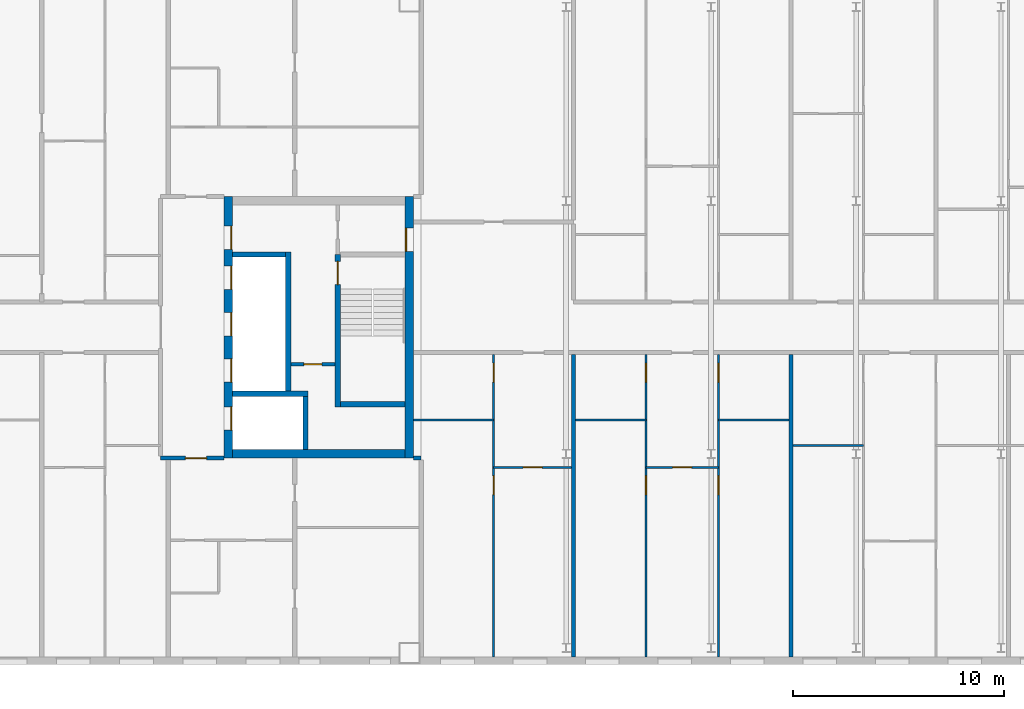
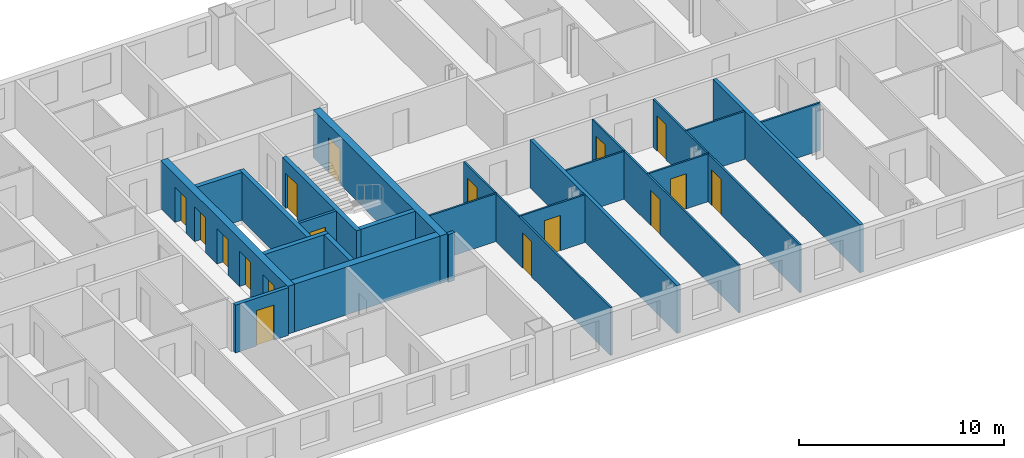
# One storey, part 8 of 19: 23 walls, 17 doors, 17 openings.
"""IFC4 building model written with IfcOpenShell, lengths in metres."""

from ifc_helpers import new_model, si_unit, direction, frame, frame_2d, origin, place, context, subcontext, project, spatial, rectangle, extrude, material, layer, layer_set, type_object, element, fill, save


model = new_model("IFC4")

# Units and contexts
model_context = context("Model", 3, precision=1e-05, world=origin(), true_north=direction((0.0, 1.0)))
body_context = subcontext(model_context, "Body", "Model", "MODEL_VIEW")
ifc_project = project(units=[si_unit("LENGTHUNIT", "METRE"), si_unit("AREAUNIT", "SQUARE_METRE"), si_unit("VOLUMEUNIT", "CUBIC_METRE"), si_unit("PLANEANGLEUNIT", "RADIAN"), si_unit("MASSUNIT", "GRAM", prefix="KILO")], contexts=[model_context])

# Site, building, storey
site_placement = place(None, origin())
site = spatial("IfcSite", under=ifc_project, at=site_placement, CompositionType="ELEMENT")
building_placement = place(site_placement, origin())
building = spatial("IfcBuilding", under=site, at=building_placement, Name="Tuart Gate Housing", CompositionType="ELEMENT")
storey_placement = place(building_placement, frame((0.0, 0.0, 205.89990234375)))
storey = spatial("IfcBuildingStorey", under=building, at=storey_placement, Name="L58", CompositionType="ELEMENT", Elevation=205.89990234375)

# Wall, opening, door
ifc_material_1 = material(Name="Plasterboard partition")
ifc_layer_1 = layer(ifc_material_1, 0.14990234375)
ifc_layer_set_1 = layer_set([ifc_layer_1], Name="Core partition 150")
wall_type_1 = type_object("IfcWallType", Name="Core partition 150", PredefinedType="PARTITIONING", material=ifc_layer_set_1)
wall_1_placement = place(storey_placement, frame((69.81494140625, 68.25, 0.0), z_axis=(0.0, 0.0, 1.0), x_axis=(1.0, 0.0, 0.0)))
wall_1 = element("IfcWall", 1, at=wall_1_placement, inside=storey, type_object=wall_type_1, Name="Core partition AG.3", PredefinedType="PARTITIONING", context=body_context, shape_type="SweptSolid", body=[
    extrude(rectangle(XDim=2.10009765625, YDim=0.14990234375, at=frame_2d((1.050048828125, 0.0))), origin(), (0.0, 0.0, 1.0), 2.85009765625),
])
opening_1_placement = place(wall_1_placement, frame((0.625, 0.0, 0.0)))
opening_1 = element("IfcOpeningElement", 2, at=opening_1_placement, cuts=wall_1, Name="Opening D1981", PredefinedType="OPENING", context=body_context, shape_type="SweptSolid", body=[
    extrude(rectangle(XDim=0.85009765625, YDim=2.10009765625, at=frame_2d((0.425048828125, 1.050048828125))), frame((0.0, 0.0849609375, 0.0), z_axis=(0.0, -1.0, 0.0), x_axis=(1.0, 0.0, 0.0)), (0.0, 0.0, 1.0), 0.169921875),
])
ifc_material_2 = material(Name="Steel fire door", Category="steel")
door_type_1 = type_object("IfcDoorType", Name="Riser door 850 x 2100 RH", OperationType="SINGLE_SWING_RIGHT", PredefinedType="DOOR", material=ifc_material_2)
door_1_placement = place(opening_1_placement, frame((0.85009765625, 0.0, 0.0), z_axis=(0.0, 0.0, 1.0), x_axis=(-1.0, 0.0, 0.0)))
door_1 = element("IfcDoor", 3, at=door_1_placement, inside=storey, type_object=door_type_1, Name="Service room door AG.E1", OperationType="SINGLE_SWING_RIGHT", OverallHeight=2.10009765625, OverallWidth=0.85009765625, PredefinedType="DOOR", context=body_context, shape_type="SweptSolid", body=[
    extrude(rectangle(XDim=0.85009765625, YDim=2.10009765625, at=frame_2d((0.425048828125, 1.050048828125))), frame((0.0, 0.025146484375, 0.0), z_axis=(0.0, -1.0, 0.0), x_axis=(1.0, 0.0, 0.0)), (0.0, 0.0, 1.0), 0.050048828125),
])
fill(opening_1, door_1)

# Walls
ifc_material_3 = material(Name="Concrete C40", Category="concrete")
ifc_layer_2 = layer(ifc_material_3, 0.25)
ifc_layer_set_2 = layer_set([ifc_layer_2], Name="Core wall 250 C40")
wall_type_2 = type_object("IfcWallType", Name="Core wall 250 C40", PredefinedType="SHEAR", material=ifc_layer_set_2)
wall_2_placement = place(storey_placement, frame((72.1650390625, 66.35009765625, 0.0), z_axis=(0.0, 0.0, 1.0), x_axis=(1.0, 0.0, 0.0)))
element("IfcWall", 4, at=wall_2_placement, inside=storey, type_object=wall_type_2, Name="Core wall AG.1", PredefinedType="SHEAR", context=body_context, shape_type="SweptSolid", body=[
    extrude(rectangle(XDim=3.074951171875, YDim=0.25, at=frame_2d((1.53759765625, 0.0))), origin(), (0.0, 0.0, 1.0), 2.85009765625),
])
wall_3_placement = place(storey_placement, frame((67.0400390625, 66.85009765625, 0.0), z_axis=(0.0, 0.0, 1.0), x_axis=(1.0, 0.0, 0.0)))
element("IfcWall", 5, at=wall_3_placement, inside=storey, type_object=wall_type_2, Name="Core wall AG.2", PredefinedType="SHEAR", context=body_context, shape_type="SweptSolid", body=[
    extrude(rectangle(XDim=3.594970703125, YDim=0.25, at=frame_2d((1.79736328125, 0.0))), origin(), (0.0, 0.0, 1.0), 2.85009765625),
])
wall_4_placement = place(storey_placement, frame((67.0400390625, 73.449951171875, 0.0), z_axis=(0.0, 0.0, 1.0), x_axis=(1.0, 0.0, 0.0)))
element("IfcWall", 6, at=wall_4_placement, inside=storey, type_object=wall_type_2, Name="Core wall AG.4", PredefinedType="SHEAR", context=body_context, shape_type="SweptSolid", body=[
    extrude(rectangle(XDim=2.52490234375, YDim=0.25, at=frame_2d((1.262451171875, 0.0))), origin(), (0.0, 0.0, 1.0), 2.85009765625),
])
wall_5_placement = place(storey_placement, frame((69.68994140625, 66.97509765625, 0.0), z_axis=(0.0, 0.0, 1.0), x_axis=(0.0, 1.0, 0.0)))
element("IfcWall", 7, at=wall_5_placement, inside=storey, type_object=wall_type_2, Name="Core wall AG.6", PredefinedType="SHEAR", context=body_context, shape_type="SweptSolid", body=[
    extrude(rectangle(XDim=6.599853515625, YDim=0.25, at=frame_2d((3.2998046875, 0.0))), origin(), (0.0, 0.0, 1.0), 2.85009765625),
])
wall_6_placement = place(storey_placement, frame((70.510009765625, 64.199951171875, 0.0), z_axis=(0.0, 0.0, 1.0), x_axis=(0.0, 1.0, 0.0)))
element("IfcWall", 8, at=wall_6_placement, inside=storey, type_object=wall_type_2, Name="Core wall AG.7", PredefinedType="SHEAR", context=body_context, shape_type="SweptSolid", body=[
    extrude(rectangle(XDim=2.525146484375, YDim=0.25, at=frame_2d((1.2626953125, 0.0))), origin(), (0.0, 0.0, 1.0), 2.85009765625),
])

# Wall, opening, door
wall_7_placement = place(storey_placement, frame((72.0400390625, 66.22509765625, 0.0), z_axis=(0.0, 0.0, 1.0), x_axis=(0.0, 1.0, 0.0)))
wall_7 = element("IfcWall", 9, at=wall_7_placement, inside=storey, type_object=wall_type_2, Name="Core wall AG.8", PredefinedType="SHEAR", context=body_context, shape_type="SweptSolid", body=[
    extrude(rectangle(XDim=7.224853515625, YDim=0.25, at=frame_2d((3.6123046875, 0.0))), origin(), (0.0, 0.0, 1.0), 2.85009765625),
])
opening_2_placement = place(wall_7_placement, frame((5.800048828125, 0.0, 0.0)))
opening_2 = element("IfcOpeningElement", 10, at=opening_2_placement, cuts=wall_7, Name="Opening D1977", PredefinedType="OPENING", context=body_context, shape_type="SweptSolid", body=[
    extrude(rectangle(XDim=1.10009765625, YDim=2.10009765625, at=frame_2d((0.550048828125, 1.050048828125))), frame((0.0, 0.135009765625, 0.0), z_axis=(0.0, -1.0, 0.0), x_axis=(1.0, 0.0, 0.0)), (0.0, 0.0, 1.0), 0.27001953125),
])
ifc_material_4 = material(Name="Steel fire door", Category="steel")
door_type_2 = type_object("IfcDoorType", Name="Stair door 1100 x 2100", OperationType="SINGLE_SWING_LEFT", PredefinedType="DOOR", material=ifc_material_4)
door_2_placement = place(opening_2_placement, frame((1.10009765625, 0.0, 0.0), z_axis=(0.0, 0.0, 1.0), x_axis=(-1.0, 0.0, 0.0)))
door_2 = element("IfcDoor", 11, at=door_2_placement, inside=storey, type_object=door_type_2, Name="Stair door AG.SD", OperationType="SINGLE_SWING_LEFT", OverallHeight=2.10009765625, OverallWidth=1.10009765625, PredefinedType="DOOR", context=body_context, shape_type="SweptSolid", body=[
    extrude(rectangle(XDim=1.10009765625, YDim=2.10009765625, at=frame_2d((0.550048828125, 1.050048828125))), frame((0.0, 0.025146484375, 0.0), z_axis=(0.0, -1.0, 0.0), x_axis=(1.0, 0.0, 0.0)), (0.0, 0.0, 1.0), 0.050048828125),
])
fill(opening_2, door_2)

# Wall, openings, doors
ifc_material_5 = material(Name="Concrete C40", Category="concrete")
ifc_layer_3 = layer(ifc_material_5, 0.39990234375)
ifc_layer_set_3 = layer_set([ifc_layer_3], Name="Core wall 400 C40")
wall_type_3 = type_object("IfcWallType", Name="Core wall 400 C40", PredefinedType="SHEAR", material=ifc_layer_set_3)
wall_8_placement = place(storey_placement, frame((66.840087890625, 63.800048828125, 0.0), z_axis=(0.0, 0.0, 1.0), x_axis=(0.0, 1.0, 0.0)))
wall_8 = element("IfcWall", 12, at=wall_8_placement, inside=storey, type_object=wall_type_3, Name="Core wall AG front", PredefinedType="SHEAR", context=body_context, shape_type="SweptSolid", body=[
    extrude(rectangle(XDim=12.39990234375, YDim=0.39990234375, at=frame_2d((6.199951171875, 0.0))), origin(), (0.0, 0.0, 1.0), 2.85009765625),
])
opening_3_placement = place(wall_8_placement, frame((1.324951171875, 0.0, 0.0)))
opening_3 = element("IfcOpeningElement", 13, at=opening_3_placement, cuts=wall_8, Name="Opening LD-FA1", PredefinedType="OPENING", context=body_context, shape_type="SweptSolid", body=[
    extrude(rectangle(XDim=1.10009765625, YDim=2.10009765625, at=frame_2d((0.550048828125, 1.050048828125))), frame((0.0, 0.2099609375, 0.0), z_axis=(0.0, -1.0, 0.0), x_axis=(1.0, 0.0, 0.0)), (0.0, 0.0, 1.0), 0.419921875),
])
opening_4_placement = place(wall_8_placement, frame((3.60009765625, 0.0, 0.0)))
opening_4 = element("IfcOpeningElement", 14, at=opening_4_placement, cuts=wall_8, Name="Opening LD-LA1", PredefinedType="OPENING", context=body_context, shape_type="SweptSolid", body=[
    extrude(rectangle(XDim=1.10009765625, YDim=2.10009765625, at=frame_2d((0.550048828125, 1.050048828125))), frame((0.0, 0.2099609375, 0.0), z_axis=(0.0, -1.0, 0.0), x_axis=(1.0, 0.0, 0.0)), (0.0, 0.0, 1.0), 0.419921875),
])
opening_5_placement = place(wall_8_placement, frame((5.800048828125, 0.0, 0.0)))
opening_5 = element("IfcOpeningElement", 15, at=opening_5_placement, cuts=wall_8, Name="Opening LD-LA2", PredefinedType="OPENING", context=body_context, shape_type="SweptSolid", body=[
    extrude(rectangle(XDim=1.10009765625, YDim=2.10009765625, at=frame_2d((0.550048828125, 1.050048828125))), frame((0.0, 0.2099609375, 0.0), z_axis=(0.0, -1.0, 0.0), x_axis=(1.0, 0.0, 0.0)), (0.0, 0.0, 1.0), 0.419921875),
])
opening_6_placement = place(wall_8_placement, frame((8.0, 0.0, 0.0)))
opening_6 = element("IfcOpeningElement", 16, at=opening_6_placement, cuts=wall_8, Name="Opening LD-LA3", PredefinedType="OPENING", context=body_context, shape_type="SweptSolid", body=[
    extrude(rectangle(XDim=1.10009765625, YDim=2.10009765625, at=frame_2d((0.550048828125, 1.050048828125))), frame((0.0, 0.2099609375, 0.0), z_axis=(0.0, -1.0, 0.0), x_axis=(1.0, 0.0, 0.0)), (0.0, 0.0, 1.0), 0.419921875),
])
opening_7_placement = place(wall_8_placement, frame((9.89990234375, 0.0, 0.0)))
opening_7 = element("IfcOpeningElement", 17, at=opening_7_placement, cuts=wall_8, Name="Opening D1975", PredefinedType="OPENING", context=body_context, shape_type="SweptSolid", body=[
    extrude(rectangle(XDim=1.10009765625, YDim=2.10009765625, at=frame_2d((0.550048828125, 1.050048828125))), frame((0.0, 0.2099609375, 0.0), z_axis=(0.0, -1.0, 0.0), x_axis=(1.0, 0.0, 0.0)), (0.0, 0.0, 1.0), 0.419921875),
])
ifc_material_6 = material(Name="Stainless steel", Category="steel")
door_type_3 = type_object("IfcDoorType", Name="Landing door 1100 x 2100", OperationType="DOUBLE_DOOR_SLIDING", PredefinedType="DOOR", material=ifc_material_6)
door_3_placement = place(opening_3_placement, origin())
door_3 = element("IfcDoor", 18, at=door_3_placement, inside=storey, type_object=door_type_3, Name="Lift landing door FA1", OperationType="DOUBLE_DOOR_SLIDING", OverallHeight=2.10009765625, OverallWidth=1.10009765625, PredefinedType="DOOR", context=body_context, shape_type="SweptSolid", body=[
    extrude(rectangle(XDim=1.10009765625, YDim=2.10009765625, at=frame_2d((0.550048828125, 1.050048828125))), frame((0.0, -0.134765625, 0.0), z_axis=(0.0, -1.0, 0.0), x_axis=(1.0, 0.0, 0.0)), (0.0, 0.0, 1.0), 0.050048828125),
])
fill(opening_3, door_3)
door_4_placement = place(opening_4_placement, origin())
door_4 = element("IfcDoor", 19, at=door_4_placement, inside=storey, type_object=door_type_3, Name="Lift landing door LA1", OperationType="DOUBLE_DOOR_SLIDING", OverallHeight=2.10009765625, OverallWidth=1.10009765625, PredefinedType="DOOR", context=body_context, shape_type="SweptSolid", body=[
    extrude(rectangle(XDim=1.10009765625, YDim=2.10009765625, at=frame_2d((0.550048828125, 1.050048828125))), frame((0.0, -0.134765625, 0.0), z_axis=(0.0, -1.0, 0.0), x_axis=(1.0, 0.0, 0.0)), (0.0, 0.0, 1.0), 0.050048828125),
])
fill(opening_4, door_4)
door_5_placement = place(opening_5_placement, origin())
door_5 = element("IfcDoor", 20, at=door_5_placement, inside=storey, type_object=door_type_3, Name="Lift landing door LA2", OperationType="DOUBLE_DOOR_SLIDING", OverallHeight=2.10009765625, OverallWidth=1.10009765625, PredefinedType="DOOR", context=body_context, shape_type="SweptSolid", body=[
    extrude(rectangle(XDim=1.10009765625, YDim=2.10009765625, at=frame_2d((0.550048828125, 1.050048828125))), frame((0.0, -0.134765625, 0.0), z_axis=(0.0, -1.0, 0.0), x_axis=(1.0, 0.0, 0.0)), (0.0, 0.0, 1.0), 0.050048828125),
])
fill(opening_5, door_5)
door_6_placement = place(opening_6_placement, origin())
door_6 = element("IfcDoor", 21, at=door_6_placement, inside=storey, type_object=door_type_3, Name="Lift landing door LA3", OperationType="DOUBLE_DOOR_SLIDING", OverallHeight=2.10009765625, OverallWidth=1.10009765625, PredefinedType="DOOR", context=body_context, shape_type="SweptSolid", body=[
    extrude(rectangle(XDim=1.10009765625, YDim=2.10009765625, at=frame_2d((0.550048828125, 1.050048828125))), frame((0.0, -0.134765625, 0.0), z_axis=(0.0, -1.0, 0.0), x_axis=(1.0, 0.0, 0.0)), (0.0, 0.0, 1.0), 0.050048828125),
])
fill(opening_6, door_6)
ifc_material_7 = material(Name="Steel fire door", Category="steel")
door_type_4 = type_object("IfcDoorType", Name="Lobby door 1100 x 2100 RH", OperationType="SINGLE_SWING_RIGHT", PredefinedType="DOOR", material=ifc_material_7)
door_7_placement = place(opening_7_placement, frame((1.10009765625, 0.0, 0.0), z_axis=(0.0, 0.0, 1.0), x_axis=(-1.0, 0.0, 0.0)))
door_7 = element("IfcDoor", 22, at=door_7_placement, inside=storey, type_object=door_type_4, Name="Lobby entry door AG.EN", OperationType="SINGLE_SWING_RIGHT", OverallHeight=2.10009765625, OverallWidth=1.10009765625, PredefinedType="DOOR", context=body_context, shape_type="SweptSolid", body=[
    extrude(rectangle(XDim=1.10009765625, YDim=2.10009765625, at=frame_2d((0.550048828125, 1.050048828125))), frame((0.0, 0.184814453125, 0.0), z_axis=(0.0, -1.0, 0.0), x_axis=(1.0, 0.0, 0.0)), (0.0, 0.0, 1.0), 0.050048828125),
])
fill(opening_7, door_7)

# Wall, opening, door
wall_9_placement = place(storey_placement, frame((75.43994140625, 63.800048828125, 0.0), z_axis=(0.0, 0.0, 1.0), x_axis=(0.0, 1.0, 0.0)))
wall_9 = element("IfcWall", 23, at=wall_9_placement, inside=storey, type_object=wall_type_3, Name="Core wall AG back", PredefinedType="SHEAR", context=body_context, shape_type="SweptSolid", body=[
    extrude(rectangle(XDim=12.39990234375, YDim=0.39990234375, at=frame_2d((6.199951171875, 0.0))), origin(), (0.0, 0.0, 1.0), 2.85009765625),
])
opening_8_placement = place(wall_9_placement, frame((9.800048828125, 0.0, 0.0)))
opening_8 = element("IfcOpeningElement", 24, at=opening_8_placement, cuts=wall_9, Name="Opening D1976", PredefinedType="OPENING", context=body_context, shape_type="SweptSolid", body=[
    extrude(rectangle(XDim=1.10009765625, YDim=2.10009765625, at=frame_2d((0.550048828125, 1.050048828125))), frame((0.0, 0.2099609375, 0.0), z_axis=(0.0, -1.0, 0.0), x_axis=(1.0, 0.0, 0.0)), (0.0, 0.0, 1.0), 0.419921875),
])
ifc_material_8 = material(Name="Steel fire door", Category="steel")
door_type_5 = type_object("IfcDoorType", Name="Lobby door 1100 x 2100", OperationType="SINGLE_SWING_LEFT", PredefinedType="DOOR", material=ifc_material_8)
door_8_placement = place(opening_8_placement, origin())
door_8 = element("IfcDoor", 25, at=door_8_placement, inside=storey, type_object=door_type_5, Name="Link door AG.LK", OperationType="SINGLE_SWING_LEFT", OverallHeight=2.10009765625, OverallWidth=1.10009765625, PredefinedType="DOOR", context=body_context, shape_type="SweptSolid", body=[
    extrude(rectangle(XDim=1.10009765625, YDim=2.10009765625, at=frame_2d((0.550048828125, 1.050048828125))), frame((0.0, 0.18505859375, 0.0), z_axis=(0.0, -1.0, 0.0), x_axis=(1.0, 0.0, 0.0)), (0.0, 0.0, 1.0), 0.050048828125),
])
fill(opening_8, door_8)

# Wall
wall_10_placement = place(storey_placement, frame((67.0400390625, 64.0, 0.0), z_axis=(0.0, 0.0, 1.0), x_axis=(1.0, 0.0, 0.0)))
element("IfcWall", 26, at=wall_10_placement, inside=storey, type_object=wall_type_3, Name="Core wall AG south", PredefinedType="SHEAR", context=body_context, shape_type="SweptSolid", body=[
    extrude(rectangle(XDim=8.199951171875, YDim=0.39990234375, at=frame_2d((4.10009765625, 0.0))), origin(), (0.0, 0.0, 1.0), 2.85009765625),
])

# Wall, opening, door
ifc_material_9 = material(Name="Concrete masonry 15 MPa", Category="masonry")
ifc_layer_4 = layer(ifc_material_9, 0.199951171875)
ifc_layer_set_4 = layer_set([ifc_layer_4], Name="Enclosure wall masonry 200")
wall_type_4 = type_object("IfcWallType", Name="Enclosure wall masonry 200", PredefinedType="PARTITIONING", material=ifc_layer_set_4)
wall_11_placement = place(storey_placement, frame((63.639892578125, 63.800048828125, 0.0), z_axis=(0.0, 0.0, 1.0), x_axis=(1.0, 0.0, 0.0)))
wall_11 = element("IfcWall", 27, at=wall_11_placement, inside=storey, type_object=wall_type_4, Name="Enclosure wall masonry 200", PredefinedType="PARTITIONING", context=body_context, shape_type="SweptSolid", body=[
    extrude(rectangle(XDim=3.0, YDim=0.199951171875, at=frame_2d((1.5, 0.0))), origin(), (0.0, 0.0, 1.0), 2.85009765625),
])
opening_9_placement = place(wall_11_placement, frame((1.179931640625, 0.0, 0.0)))
opening_9 = element("IfcOpeningElement", 28, at=opening_9_placement, cuts=wall_11, Name="Opening D1984", PredefinedType="OPENING", context=body_context, shape_type="SweptSolid", body=[
    extrude(rectangle(XDim=1.0, YDim=2.10009765625, at=frame_2d((0.5, 1.050048828125))), frame((0.0, 0.10986328125, 0.0), z_axis=(0.0, -1.0, 0.0), x_axis=(1.0, 0.0, 0.0)), (0.0, 0.0, 1.0), 0.219970703125),
])
ifc_material_10 = material(Name="Timber door leaf in steel frame", Category="steel")
door_type_6 = type_object("IfcDoorType", Name="Flat entrance door 1000 RH", OperationType="SINGLE_SWING_RIGHT", PredefinedType="DOOR", material=ifc_material_10)
door_9_placement = place(opening_9_placement, frame((1.0, 0.0, 0.0), z_axis=(0.0, 0.0, 1.0), x_axis=(-1.0, 0.0, 0.0)))
door_9 = element("IfcDoor", 29, at=door_9_placement, inside=storey, type_object=door_type_6, Name="Flat entrance door", OperationType="SINGLE_SWING_RIGHT", OverallHeight=2.10009765625, OverallWidth=1.0, PredefinedType="DOOR", context=body_context, shape_type="SweptSolid", body=[
    extrude(rectangle(XDim=1.0, YDim=2.10009765625, at=frame_2d((0.5, 1.050048828125))), frame((0.0, 0.025146484375, 0.0), z_axis=(0.0, -1.0, 0.0), x_axis=(1.0, 0.0, 0.0)), (0.0, 0.0, 1.0), 0.050048828125),
])
fill(opening_9, door_9)

ifc_material_11 = material(Name="Gypsum board on steel studs", Category="steel")
ifc_layer_5 = layer(ifc_material_11, 0.10009765625)
ifc_layer_set_5 = layer_set([ifc_layer_5], Name="Partition 100")
wall_type_5 = type_object("IfcWallType", Name="Partition 100", PredefinedType="PARTITIONING", material=ifc_layer_set_5)
wall_12_placement = place(storey_placement, frame((79.43798828125, 63.360107421875, 0.0), z_axis=(0.0, 0.0, 1.0), x_axis=(1.0, 0.0, 0.0)))
wall_12 = element("IfcWall", 30, at=wall_12_placement, inside=storey, type_object=wall_type_5, Name="Partition 100", PredefinedType="PARTITIONING", context=body_context, shape_type="SweptSolid", body=[
    extrude(rectangle(XDim=3.68701171875, YDim=0.10009765625, at=frame_2d((1.843505859375, 0.0))), origin(), (0.0, 0.0, 1.0), 2.85009765625),
])
opening_10_placement = place(wall_12_placement, frame((1.3935546875, 0.0, 0.0)))
opening_10 = element("IfcOpeningElement", 31, at=opening_10_placement, cuts=wall_12, Name="Opening D2035", PredefinedType="OPENING", context=body_context, shape_type="SweptSolid", body=[
    extrude(rectangle(XDim=0.89990234375, YDim=2.10009765625, at=frame_2d((0.449951171875, 1.050048828125))), frame((0.0, 0.06005859375, 0.0), z_axis=(0.0, -1.0, 0.0), x_axis=(1.0, 0.0, 0.0)), (0.0, 0.0, 1.0), 0.1201171875),
])
ifc_material_12 = material(Name="Timber door leaf in steel frame", Category="steel")
door_type_7 = type_object("IfcDoorType", Name="Internal door 900", OperationType="SINGLE_SWING_LEFT", PredefinedType="DOOR", material=ifc_material_12)
door_10_placement = place(opening_10_placement, origin())
door_10 = element("IfcDoor", 32, at=door_10_placement, inside=storey, type_object=door_type_7, Name="Internal door", OperationType="SINGLE_SWING_LEFT", OverallHeight=2.10009765625, OverallWidth=0.89990234375, PredefinedType="DOOR", context=body_context, shape_type="SweptSolid", body=[
    extrude(rectangle(XDim=0.89990234375, YDim=2.10009765625, at=frame_2d((0.449951171875, 1.050048828125))), frame((0.0, 0.02490234375, 0.0), z_axis=(0.0, -1.0, 0.0), x_axis=(1.0, 0.0, 0.0)), (0.0, 0.0, 1.0), 0.050048828125),
])
fill(opening_10, door_10)

wall_13_placement = place(storey_placement, frame((86.662109375, 63.360107421875, 0.0), z_axis=(0.0, 0.0, 1.0), x_axis=(1.0, 0.0, 0.0)))
wall_13 = element("IfcWall", 33, at=wall_13_placement, inside=storey, type_object=wall_type_5, Name="Partition 100", PredefinedType="PARTITIONING", context=body_context, shape_type="SweptSolid", body=[
    extrude(rectangle(XDim=3.43798828125, YDim=0.10009765625, at=frame_2d((1.718994140625, 0.0))), origin(), (0.0, 0.0, 1.0), 2.85009765625),
])
opening_11_placement = place(wall_13_placement, frame((1.26904296875, 0.0, 0.0)))
opening_11 = element("IfcOpeningElement", 34, at=opening_11_placement, cuts=wall_13, Name="Opening D2036", PredefinedType="OPENING", context=body_context, shape_type="SweptSolid", body=[
    extrude(rectangle(XDim=0.89990234375, YDim=2.10009765625, at=frame_2d((0.449951171875, 1.050048828125))), frame((0.0, 0.06005859375, 0.0), z_axis=(0.0, -1.0, 0.0), x_axis=(1.0, 0.0, 0.0)), (0.0, 0.0, 1.0), 0.1201171875),
])
door_11_placement = place(opening_11_placement, origin())
door_11 = element("IfcDoor", 35, at=door_11_placement, inside=storey, type_object=door_type_7, Name="Internal door", OperationType="SINGLE_SWING_LEFT", OverallHeight=2.10009765625, OverallWidth=0.89990234375, PredefinedType="DOOR", context=body_context, shape_type="SweptSolid", body=[
    extrude(rectangle(XDim=0.89990234375, YDim=2.10009765625, at=frame_2d((0.449951171875, 1.050048828125))), frame((0.0, 0.02490234375, 0.0), z_axis=(0.0, -1.0, 0.0), x_axis=(1.0, 0.0, 0.0)), (0.0, 0.0, 1.0), 0.050048828125),
])
fill(opening_11, door_11)

# Walls
wall_14_placement = place(storey_placement, frame((93.636962890625, 64.39990234375, 0.0), z_axis=(0.0, 0.0, 1.0), x_axis=(1.0, 0.0, 0.0)))
element("IfcWall", 36, at=wall_14_placement, inside=storey, type_object=wall_type_5, Name="Partition 100", PredefinedType="PARTITIONING", context=body_context, shape_type="SweptSolid", body=[
    extrude(rectangle(XDim=3.338134765625, YDim=0.10009765625, at=frame_2d((1.6689453125, 0.0))), origin(), (0.0, 0.0, 1.0), 2.85009765625),
])
wall_15_placement = place(storey_placement, frame((75.639892578125, 65.60009765625, 0.0), z_axis=(0.0, 0.0, 1.0), x_axis=(1.0, 0.0, 0.0)))
element("IfcWall", 37, at=wall_15_placement, inside=storey, type_object=wall_type_5, Name="Partition 100", PredefinedType="PARTITIONING", context=body_context, shape_type="SweptSolid", body=[
    extrude(rectangle(XDim=3.798095703125, YDim=0.10009765625, at=frame_2d((1.89892578125, 0.0))), origin(), (0.0, 0.0, 1.0), 2.85009765625),
])
wall_16_placement = place(storey_placement, frame((83.324951171875, 65.60009765625, 0.0), z_axis=(0.0, 0.0, 1.0), x_axis=(1.0, 0.0, 0.0)))
element("IfcWall", 38, at=wall_16_placement, inside=storey, type_object=wall_type_5, Name="Partition 100", PredefinedType="PARTITIONING", context=body_context, shape_type="SweptSolid", body=[
    extrude(rectangle(XDim=3.337158203125, YDim=0.10009765625, at=frame_2d((1.66845703125, 0.0))), origin(), (0.0, 0.0, 1.0), 2.85009765625),
])
wall_17_placement = place(storey_placement, frame((90.10009765625, 65.60009765625, 0.0), z_axis=(0.0, 0.0, 1.0), x_axis=(1.0, 0.0, 0.0)))
element("IfcWall", 39, at=wall_17_placement, inside=storey, type_object=wall_type_5, Name="Partition 100", PredefinedType="PARTITIONING", context=body_context, shape_type="SweptSolid", body=[
    extrude(rectangle(XDim=3.3369140625, YDim=0.10009765625, at=frame_2d((1.66845703125, 0.0))), origin(), (0.0, 0.0, 1.0), 2.85009765625),
])

# Wall, openings, doors
wall_18_placement = place(storey_placement, frame((79.43798828125, 54.360107421875, 0.0), z_axis=(0.0, 0.0, 1.0), x_axis=(0.0, 1.0, 0.0)))
wall_18 = element("IfcWall", 40, at=wall_18_placement, inside=storey, type_object=wall_type_5, Name="Partition 100", PredefinedType="PARTITIONING", context=body_context, shape_type="SweptSolid", body=[
    extrude(rectangle(XDim=14.33984375, YDim=0.10009765625, at=frame_2d((7.169921875, 0.0))), origin(), (0.0, 0.0, 1.0), 2.85009765625),
])
opening_12_placement = place(wall_18_placement, frame((7.699951171875, 0.0, 0.0)))
opening_12 = element("IfcOpeningElement", 41, at=opening_12_placement, cuts=wall_18, Name="Opening D2040", PredefinedType="OPENING", context=body_context, shape_type="SweptSolid", body=[
    extrude(rectangle(XDim=0.89990234375, YDim=2.10009765625, at=frame_2d((0.449951171875, 1.050048828125))), frame((0.0, 0.06005859375, 0.0), z_axis=(0.0, -1.0, 0.0), x_axis=(1.0, 0.0, 0.0)), (0.0, 0.0, 1.0), 0.1201171875),
])
opening_13_placement = place(wall_18_placement, frame((13.0400390625, 0.0, 0.0)))
opening_13 = element("IfcOpeningElement", 42, at=opening_13_placement, cuts=wall_18, Name="Opening D2039", PredefinedType="OPENING", context=body_context, shape_type="SweptSolid", body=[
    extrude(rectangle(XDim=0.89990234375, YDim=2.10009765625, at=frame_2d((0.449951171875, 1.050048828125))), frame((0.0, 0.06005859375, 0.0), z_axis=(0.0, -1.0, 0.0), x_axis=(1.0, 0.0, 0.0)), (0.0, 0.0, 1.0), 0.1201171875),
])
ifc_material_13 = material(Name="Timber door leaf in steel frame", Category="steel")
door_type_8 = type_object("IfcDoorType", Name="Bathroom door 900 RH", OperationType="SINGLE_SWING_RIGHT", PredefinedType="DOOR", material=ifc_material_13)
door_12_placement = place(opening_13_placement, origin())
door_12 = element("IfcDoor", 43, at=door_12_placement, inside=storey, type_object=door_type_8, Name="Bathroom door", OperationType="SINGLE_SWING_RIGHT", OverallHeight=2.10009765625, OverallWidth=0.89990234375, PredefinedType="DOOR", context=body_context, shape_type="SweptSolid", body=[
    extrude(rectangle(XDim=0.89990234375, YDim=2.10009765625, at=frame_2d((0.449951171875, 1.050048828125))), frame((0.0, 0.02490234375, 0.0), z_axis=(0.0, -1.0, 0.0), x_axis=(1.0, 0.0, 0.0)), (0.0, 0.0, 1.0), 0.050048828125),
])
fill(opening_13, door_12)
ifc_material_14 = material(Name="Timber door leaf in steel frame", Category="steel")
door_type_9 = type_object("IfcDoorType", Name="Internal door 900 RH", OperationType="SINGLE_SWING_RIGHT", PredefinedType="DOOR", material=ifc_material_14)
door_13_placement = place(opening_12_placement, origin())
door_13 = element("IfcDoor", 44, at=door_13_placement, inside=storey, type_object=door_type_9, Name="Internal door", OperationType="SINGLE_SWING_RIGHT", OverallHeight=2.10009765625, OverallWidth=0.89990234375, PredefinedType="DOOR", context=body_context, shape_type="SweptSolid", body=[
    extrude(rectangle(XDim=0.89990234375, YDim=2.10009765625, at=frame_2d((0.449951171875, 1.050048828125))), frame((0.0, 0.02490234375, 0.0), z_axis=(0.0, -1.0, 0.0), x_axis=(1.0, 0.0, 0.0)), (0.0, 0.0, 1.0), 0.050048828125),
])
fill(opening_12, door_13)

wall_19_placement = place(storey_placement, frame((86.662109375, 54.360107421875, 0.0), z_axis=(0.0, 0.0, 1.0), x_axis=(0.0, 1.0, 0.0)))
wall_19 = element("IfcWall", 45, at=wall_19_placement, inside=storey, type_object=wall_type_5, Name="Partition 100", PredefinedType="PARTITIONING", context=body_context, shape_type="SweptSolid", body=[
    extrude(rectangle(XDim=14.33984375, YDim=0.10009765625, at=frame_2d((7.169921875, 0.0))), origin(), (0.0, 0.0, 1.0), 2.85009765625),
])
opening_14_placement = place(wall_19_placement, frame((7.699951171875, 0.0, 0.0)))
opening_14 = element("IfcOpeningElement", 46, at=opening_14_placement, cuts=wall_19, Name="Opening D2042", PredefinedType="OPENING", context=body_context, shape_type="SweptSolid", body=[
    extrude(rectangle(XDim=0.89990234375, YDim=2.10009765625, at=frame_2d((0.449951171875, 1.050048828125))), frame((0.0, 0.06005859375, 0.0), z_axis=(0.0, -1.0, 0.0), x_axis=(1.0, 0.0, 0.0)), (0.0, 0.0, 1.0), 0.1201171875),
])
opening_15_placement = place(wall_19_placement, frame((13.0400390625, 0.0, 0.0)))
opening_15 = element("IfcOpeningElement", 47, at=opening_15_placement, cuts=wall_19, Name="Opening D2041", PredefinedType="OPENING", context=body_context, shape_type="SweptSolid", body=[
    extrude(rectangle(XDim=0.89990234375, YDim=2.10009765625, at=frame_2d((0.449951171875, 1.050048828125))), frame((0.0, 0.06005859375, 0.0), z_axis=(0.0, -1.0, 0.0), x_axis=(1.0, 0.0, 0.0)), (0.0, 0.0, 1.0), 0.1201171875),
])
door_14_placement = place(opening_15_placement, origin())
door_14 = element("IfcDoor", 48, at=door_14_placement, inside=storey, type_object=door_type_8, Name="Bathroom door", OperationType="SINGLE_SWING_RIGHT", OverallHeight=2.10009765625, OverallWidth=0.89990234375, PredefinedType="DOOR", context=body_context, shape_type="SweptSolid", body=[
    extrude(rectangle(XDim=0.89990234375, YDim=2.10009765625, at=frame_2d((0.449951171875, 1.050048828125))), frame((0.0, 0.02490234375, 0.0), z_axis=(0.0, -1.0, 0.0), x_axis=(1.0, 0.0, 0.0)), (0.0, 0.0, 1.0), 0.050048828125),
])
fill(opening_15, door_14)
door_15_placement = place(opening_14_placement, origin())
door_15 = element("IfcDoor", 49, at=door_15_placement, inside=storey, type_object=door_type_9, Name="Internal door", OperationType="SINGLE_SWING_RIGHT", OverallHeight=2.10009765625, OverallWidth=0.89990234375, PredefinedType="DOOR", context=body_context, shape_type="SweptSolid", body=[
    extrude(rectangle(XDim=0.89990234375, YDim=2.10009765625, at=frame_2d((0.449951171875, 1.050048828125))), frame((0.0, 0.02490234375, 0.0), z_axis=(0.0, -1.0, 0.0), x_axis=(1.0, 0.0, 0.0)), (0.0, 0.0, 1.0), 0.050048828125),
])
fill(opening_14, door_15)

wall_20_placement = place(storey_placement, frame((90.10009765625, 54.360107421875, 0.0), z_axis=(0.0, 0.0, 1.0), x_axis=(0.0, 1.0, 0.0)))
wall_20 = element("IfcWall", 50, at=wall_20_placement, inside=storey, type_object=wall_type_5, Name="Partition 100", PredefinedType="PARTITIONING", context=body_context, shape_type="SweptSolid", body=[
    extrude(rectangle(XDim=14.33984375, YDim=0.10009765625, at=frame_2d((7.169921875, 0.0))), origin(), (0.0, 0.0, 1.0), 2.85009765625),
])
opening_16_placement = place(wall_20_placement, frame((7.699951171875, 0.0, 0.0)))
opening_16 = element("IfcOpeningElement", 51, at=opening_16_placement, cuts=wall_20, Name="Opening D2044", PredefinedType="OPENING", context=body_context, shape_type="SweptSolid", body=[
    extrude(rectangle(XDim=0.89990234375, YDim=2.10009765625, at=frame_2d((0.449951171875, 1.050048828125))), frame((0.0, 0.06005859375, 0.0), z_axis=(0.0, -1.0, 0.0), x_axis=(1.0, 0.0, 0.0)), (0.0, 0.0, 1.0), 0.1201171875),
])
opening_17_placement = place(wall_20_placement, frame((13.0400390625, 0.0, 0.0)))
opening_17 = element("IfcOpeningElement", 52, at=opening_17_placement, cuts=wall_20, Name="Opening D2043", PredefinedType="OPENING", context=body_context, shape_type="SweptSolid", body=[
    extrude(rectangle(XDim=0.89990234375, YDim=2.10009765625, at=frame_2d((0.449951171875, 1.050048828125))), frame((0.0, 0.06005859375, 0.0), z_axis=(0.0, -1.0, 0.0), x_axis=(1.0, 0.0, 0.0)), (0.0, 0.0, 1.0), 0.1201171875),
])
ifc_material_15 = material(Name="Timber door leaf in steel frame", Category="steel")
door_type_10 = type_object("IfcDoorType", Name="Bathroom door 900", OperationType="SINGLE_SWING_LEFT", PredefinedType="DOOR", material=ifc_material_15)
door_16_placement = place(opening_17_placement, frame((0.89990234375, 0.0, 0.0), z_axis=(0.0, 0.0, 1.0), x_axis=(-1.0, 0.0, 0.0)))
door_16 = element("IfcDoor", 53, at=door_16_placement, inside=storey, type_object=door_type_10, Name="Bathroom door", OperationType="SINGLE_SWING_LEFT", OverallHeight=2.10009765625, OverallWidth=0.89990234375, PredefinedType="DOOR", context=body_context, shape_type="SweptSolid", body=[
    extrude(rectangle(XDim=0.89990234375, YDim=2.10009765625, at=frame_2d((0.449951171875, 1.050048828125))), frame((0.0, 0.025146484375, 0.0), z_axis=(0.0, -1.0, 0.0), x_axis=(1.0, 0.0, 0.0)), (0.0, 0.0, 1.0), 0.050048828125),
])
fill(opening_17, door_16)
door_17_placement = place(opening_16_placement, frame((0.89990234375, 0.0, 0.0), z_axis=(0.0, 0.0, 1.0), x_axis=(-1.0, 0.0, 0.0)))
door_17 = element("IfcDoor", 54, at=door_17_placement, inside=storey, type_object=door_type_7, Name="Internal door", OperationType="SINGLE_SWING_LEFT", OverallHeight=2.10009765625, OverallWidth=0.89990234375, PredefinedType="DOOR", context=body_context, shape_type="SweptSolid", body=[
    extrude(rectangle(XDim=0.89990234375, YDim=2.10009765625, at=frame_2d((0.449951171875, 1.050048828125))), frame((0.0, 0.025146484375, 0.0), z_axis=(0.0, -1.0, 0.0), x_axis=(1.0, 0.0, 0.0)), (0.0, 0.0, 1.0), 0.050048828125),
])
fill(opening_16, door_17)

# Walls
ifc_material_16 = material(Name="Concrete masonry 15 MPa", Category="masonry")
ifc_layer_6 = layer(ifc_material_16, 0.199951171875)
ifc_layer_set_6 = layer_set([ifc_layer_6], Name="Party wall masonry 200")
wall_type_6 = type_object("IfcWallType", Name="Party wall masonry 200", PredefinedType="PARTITIONING", material=ifc_layer_set_6)
wall_21_placement = place(storey_placement, frame((75.639892578125, 63.800048828125, 0.0), z_axis=(0.0, 0.0, 1.0), x_axis=(1.0, 0.0, 0.0)))
element("IfcWall", 55, at=wall_21_placement, inside=storey, type_object=wall_type_6, Name="Party wall masonry 200", PredefinedType="PARTITIONING", context=body_context, shape_type="SweptSolid", body=[
    extrude(rectangle(XDim=0.360107421875, YDim=0.199951171875, at=frame_2d((0.18017578125, 0.0))), origin(), (0.0, 0.0, 1.0), 2.85009765625),
])
for number, where, z_axis, x_axis, name in (
    (56, (83.22509765625, 54.360107421875, 0.0), (0.0, 0.0, 1.0), (0.0, 1.0, 0.0), "Party wall masonry 200"),
    (57, (93.537109375, 54.360107421875, 0.0), (0.0, 0.0, 1.0), (0.0, 1.0, 0.0), "Party wall masonry 200"),
):
    element("IfcWall", number, at=place(storey_placement, frame(where, z_axis=z_axis, x_axis=x_axis)), inside=storey, type_object=wall_type_6, Name=name, PredefinedType="PARTITIONING", context=body_context, shape_type="SweptSolid", body=[
        extrude(rectangle(XDim=14.33984375, YDim=0.199951171875, at=frame_2d((7.169921875, 0.0))), origin(), (0.0, 0.0, 1.0), 2.85009765625),
    ])

save(model, "model.ifc")
